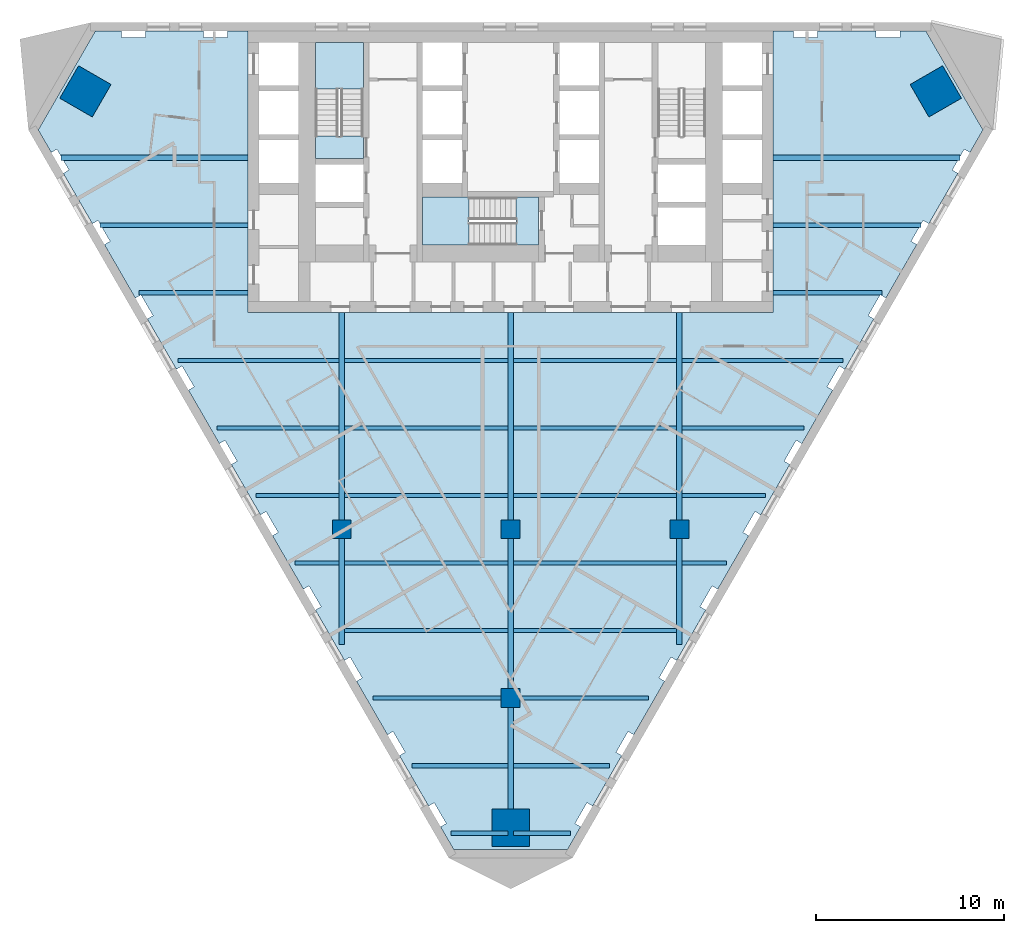
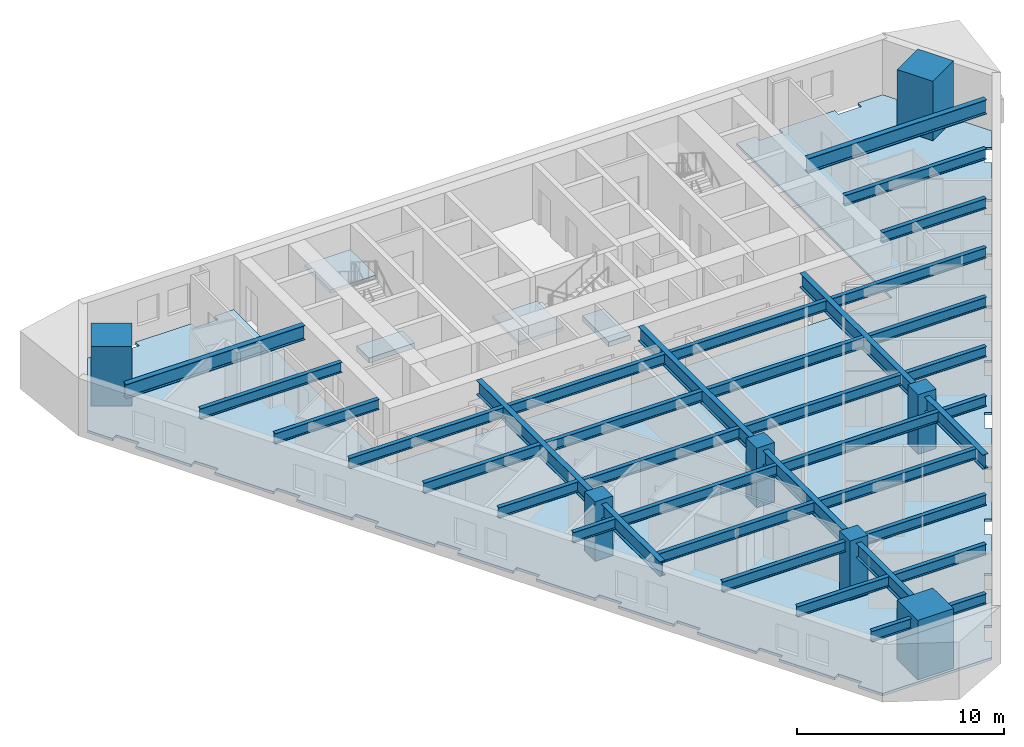
# One storey, part 1 of 10: 37 beams, 7 columns, 5 slabs, 2 elements without a shape of their own.
"""IFC4 building model written with IfcOpenShell, lengths in metres."""

from ifc_helpers import new_model, si_unit, direction, frame, origin, origin_2d, place, context, subcontext, project, spatial, polyline, rectangle, i_section, outline, extrude, material, layer, layer_set, material_profile, profile_set, type_object, element, aggregate, save


model = new_model("IFC4")

# Units and contexts
model_context = context("Model", 3, precision=1e-05, world=origin(), true_north=direction((0.0, 1.0)))
body_context = subcontext(model_context, "Body", "Model", "MODEL_VIEW")
ifc_project = project(units=[si_unit("LENGTHUNIT", "METRE"), si_unit("AREAUNIT", "SQUARE_METRE"), si_unit("VOLUMEUNIT", "CUBIC_METRE"), si_unit("PLANEANGLEUNIT", "RADIAN"), si_unit("MASSUNIT", "GRAM", prefix="KILO")], contexts=[model_context])

# Site, building, storey
site_placement = place(None, origin())
site = spatial("IfcSite", under=ifc_project, at=site_placement, CompositionType="ELEMENT")
building_placement = place(site_placement, origin())
building = spatial("IfcBuilding", under=site, at=building_placement, Name="Aloe Facet Convention Tower", CompositionType="ELEMENT")
storey_placement = place(building_placement, frame((0.0, 0.0, 73.5)))
storey = spatial("IfcBuildingStorey", under=building, at=storey_placement, Name="L17", CompositionType="ELEMENT", Elevation=73.5)

# Columns
ifc_material_1 = material(Name="Concrete C70/85", Category="concrete")
ifc_material_profile_1 = material_profile(ifc_material_1, rectangle(XDim=1.0, YDim=1.0, at=origin_2d()), Name="SF-GC-Z1")
ifc_profile_set_1 = profile_set([ifc_material_profile_1], Name="Concrete C70/85")
column_type_1 = type_object("IfcColumnType", Name="SF-GC-Z1", PredefinedType="COLUMN", material=ifc_profile_set_1)
for number, where, z_axis, x_axis, name in (
    (1, (71.0, 108.0, 0.0), (0.0, 0.0, 1.0), (1.0, 0.0, 0.0), "Gravity column GC-Z1-8D"),
    (2, (80.0, 99.0, 0.0), (0.0, 0.0, 1.0), (1.0, 0.0, 0.0), "Gravity column GC-Z1-9E"),
    (3, (80.0, 108.0, 0.0), (0.0, 0.0, 1.0), (1.0, 0.0, 0.0), "Gravity column GC-Z1-9D"),
    (4, (89.0, 108.0, 0.0), (0.0, 0.0, 1.0), (1.0, 0.0, 0.0), "Gravity column GC-Z1-10D"),
):
    element("IfcColumn", number, at=place(storey_placement, frame(where, z_axis=z_axis, x_axis=x_axis)), inside=storey, type_object=column_type_1, Name=name, PredefinedType="COLUMN", context=body_context, shape_type="SweptSolid", body=[
        extrude(rectangle(XDim=1.0, YDim=1.0, at=origin_2d()), origin(), (0.0, 0.0, 1.0), 3.5),
    ])
ifc_material_2 = material(Name="Concrete C80/95", Category="concrete")
ifc_material_profile_2 = material_profile(ifc_material_2, rectangle(XDim=2.0, YDim=2.0, at=origin_2d()), Name="STW-MC-Z1")
ifc_profile_set_2 = profile_set([ifc_material_profile_2], Name="Concrete C80/95")
column_type_2 = type_object("IfcColumnType", Name="STW-MC-Z1", PredefinedType="COLUMN", material=ifc_profile_set_2)
for number, where, z_axis, x_axis, name in (
    (5, (102.664306640625, 131.342041015625, 0.0), (0.0, 0.0, 1.0), (-0.5, 0.866025403784, 0.0), "Mega-column MC-NE-L17"),
    (6, (57.335693359375, 131.342041015625, 0.0), (0.0, 0.0, 1.0), (-0.5, -0.866025403784, 0.0), "Mega-column MC-NW-L17"),
    (7, (80.0, 92.086181640625, 0.0), (0.0, 0.0, 1.0), (1.0, 0.0, 0.0), "Mega-column MC-S-L17"),
):
    element("IfcColumn", number, at=place(storey_placement, frame(where, z_axis=z_axis, x_axis=x_axis)), inside=storey, type_object=column_type_2, Name=name, PredefinedType="COLUMN", context=body_context, shape_type="SweptSolid", body=[
        extrude(rectangle(XDim=2.0, YDim=2.0, at=origin_2d()), origin(), (0.0, 0.0, 1.0), 3.5),
    ])

# Beams
ifc_material_3 = material(Name="Steel S355", Category="steel")
ifc_material_profile_3 = material_profile(ifc_material_3, i_section(OverallWidth=0.22900390625, OverallDepth=0.6123046875, WebThickness=0.011962890625, FlangeThickness=0.01953125, FilletRadius=0.0126953125, at=origin_2d()), Name="UB 610x229x125")
ifc_profile_set_3 = profile_set([ifc_material_profile_3], Name="Steel S355")
beam_type_1 = type_object("IfcBeamType", Name="SF-B-UB610x229x125", PredefinedType="BEAM", material=ifc_profile_set_3)
beam_1_placement = place(storey_placement, frame((58.111328125, 124.199951171875, 2.94384765625), z_axis=(1.0, 0.0, 0.0), x_axis=(0.0, 1.0, 0.0)))
element("IfcBeam", 8, at=beam_1_placement, inside=storey, type_object=beam_type_1, Name="Floor beam FB-Z1I-010", PredefinedType="BEAM", context=body_context, shape_type="SweptSolid", body=[
    extrude(i_section(OverallWidth=0.22900390625, OverallDepth=0.6123046875, WebThickness=0.011962890625, FlangeThickness=0.01953125, FilletRadius=0.0126953125, at=origin_2d()), origin(), (0.0, 0.0, 1.0), 7.888671875),
])
beam_2_placement = place(storey_placement, frame((60.18994140625, 120.60009765625, 2.94384765625), z_axis=(1.0, 0.0, 0.0), x_axis=(0.0, 1.0, 0.0)))
element("IfcBeam", 9, at=beam_2_placement, inside=storey, type_object=beam_type_1, Name="Floor beam FB-Z1I-011", PredefinedType="BEAM", context=body_context, shape_type="SweptSolid", body=[
    extrude(i_section(OverallWidth=0.22900390625, OverallDepth=0.6123046875, WebThickness=0.011962890625, FlangeThickness=0.01953125, FilletRadius=0.0126953125, at=origin_2d()), origin(), (0.0, 0.0, 1.0), 5.81005859375),
])
beam_3_placement = place(storey_placement, frame((62.268310546875, 117.0, 2.94384765625), z_axis=(1.0, 0.0, 0.0), x_axis=(0.0, 1.0, 0.0)))
element("IfcBeam", 10, at=beam_3_placement, inside=storey, type_object=beam_type_1, Name="Floor beam FB-Z1I-012", PredefinedType="BEAM", context=body_context, shape_type="SweptSolid", body=[
    extrude(i_section(OverallWidth=0.22900390625, OverallDepth=0.6123046875, WebThickness=0.011962890625, FlangeThickness=0.01953125, FilletRadius=0.0126953125, at=origin_2d()), origin(), (0.0, 0.0, 1.0), 8.584716796875),
])
beam_4_placement = place(storey_placement, frame((64.3466796875, 113.39990234375, 2.94384765625), z_axis=(1.0, 0.0, 0.0), x_axis=(0.0, 1.0, 0.0)))
element("IfcBeam", 11, at=beam_4_placement, inside=storey, type_object=beam_type_1, Name="Floor beam FB-Z1I-013", PredefinedType="BEAM", context=body_context, shape_type="SweptSolid", body=[
    extrude(i_section(OverallWidth=0.22900390625, OverallDepth=0.6123046875, WebThickness=0.011962890625, FlangeThickness=0.01953125, FilletRadius=0.0126953125, at=origin_2d()), origin(), (0.0, 0.0, 1.0), 6.50634765625),
])
beam_5_placement = place(storey_placement, frame((66.42529296875, 109.800048828125, 2.94384765625), z_axis=(1.0, 0.0, 0.0), x_axis=(0.0, 1.0, 0.0)))
element("IfcBeam", 12, at=beam_5_placement, inside=storey, type_object=beam_type_1, Name="Floor beam FB-Z1I-014", PredefinedType="BEAM", context=body_context, shape_type="SweptSolid", body=[
    extrude(i_section(OverallWidth=0.22900390625, OverallDepth=0.6123046875, WebThickness=0.011962890625, FlangeThickness=0.01953125, FilletRadius=0.0126953125, at=origin_2d()), origin(), (0.0, 0.0, 1.0), 4.427734375),
])
beam_6_placement = place(storey_placement, frame((68.503662109375, 106.199951171875, 2.94384765625), z_axis=(1.0, 0.0, 0.0), x_axis=(0.0, 1.0, 0.0)))
element("IfcBeam", 13, at=beam_6_placement, inside=storey, type_object=beam_type_1, Name="Floor beam FB-Z1I-015", PredefinedType="BEAM", context=body_context, shape_type="SweptSolid", body=[
    extrude(i_section(OverallWidth=0.22900390625, OverallDepth=0.6123046875, WebThickness=0.011962890625, FlangeThickness=0.01953125, FilletRadius=0.0126953125, at=origin_2d()), origin(), (0.0, 0.0, 1.0), 2.349365234375),
])
for number, where, z_axis, x_axis, name in (
    (14, (71.14697265625, 102.60009765625, 2.94384765625), (1.0, 0.0, 0.0), (0.0, 1.0, 0.0), "Floor beam FB-Z1I-016"),
    (15, (71.14697265625, 106.199951171875, 2.94384765625), (1.0, 0.0, 0.0), (0.0, 1.0, 0.0), "Floor beam FB-Z1I-017"),
    (16, (71.14697265625, 109.800048828125, 2.94384765625), (1.0, 0.0, 0.0), (0.0, 1.0, 0.0), "Floor beam FB-Z1I-018"),
    (17, (71.14697265625, 113.39990234375, 2.94384765625), (1.0, 0.0, 0.0), (0.0, 1.0, 0.0), "Floor beam FB-Z1I-019"),
    (18, (71.14697265625, 117.0, 2.94384765625), (1.0, 0.0, 0.0), (0.0, 1.0, 0.0), "Floor beam FB-Z1I-020"),
):
    element("IfcBeam", number, at=place(storey_placement, frame(where, z_axis=z_axis, x_axis=x_axis)), inside=storey, type_object=beam_type_1, Name=name, PredefinedType="BEAM", context=body_context, shape_type="SweptSolid", body=[
        extrude(i_section(OverallWidth=0.22900390625, OverallDepth=0.6123046875, WebThickness=0.011962890625, FlangeThickness=0.01953125, FilletRadius=0.0126953125, at=origin_2d()), origin(), (0.0, 0.0, 1.0), 8.7060546875),
    ])
beam_7_placement = place(storey_placement, frame((72.66064453125, 99.0, 2.94384765625), z_axis=(1.0, 0.0, 0.0), x_axis=(0.0, 1.0, 0.0)))
element("IfcBeam", 19, at=beam_7_placement, inside=storey, type_object=beam_type_1, Name="Floor beam FB-Z1I-021", PredefinedType="BEAM", context=body_context, shape_type="SweptSolid", body=[
    extrude(i_section(OverallWidth=0.22900390625, OverallDepth=0.6123046875, WebThickness=0.011962890625, FlangeThickness=0.01953125, FilletRadius=0.0126953125, at=origin_2d()), origin(), (0.0, 0.0, 1.0), 6.83935546875),
])
beam_8_placement = place(storey_placement, frame((74.739013671875, 95.39990234375, 2.94384765625), z_axis=(1.0, 0.0, 0.0), x_axis=(0.0, 1.0, 0.0)))
element("IfcBeam", 20, at=beam_8_placement, inside=storey, type_object=beam_type_1, Name="Floor beam FB-Z1I-022", PredefinedType="BEAM", context=body_context, shape_type="SweptSolid", body=[
    extrude(i_section(OverallWidth=0.22900390625, OverallDepth=0.6123046875, WebThickness=0.011962890625, FlangeThickness=0.01953125, FilletRadius=0.0126953125, at=origin_2d()), origin(), (0.0, 0.0, 1.0), 5.114013671875),
])
for number, where, z_axis, x_axis, name in (
    (21, (76.817626953125, 91.800048828125, 2.94384765625), (1.0, 0.0, 0.0), (0.0, 1.0, 0.0), "Floor beam FB-Z1I-023"),
    (22, (80.14697265625, 91.800048828125, 2.94384765625), (1.0, 0.0, 0.0), (0.0, 1.0, 0.0), "Floor beam FB-Z1I-024"),
):
    element("IfcBeam", number, at=place(storey_placement, frame(where, z_axis=z_axis, x_axis=x_axis)), inside=storey, type_object=beam_type_1, Name=name, PredefinedType="BEAM", context=body_context, shape_type="SweptSolid", body=[
        extrude(i_section(OverallWidth=0.22900390625, OverallDepth=0.6123046875, WebThickness=0.011962890625, FlangeThickness=0.01953125, FilletRadius=0.0126953125, at=origin_2d()), origin(), (0.0, 0.0, 1.0), 3.035400390625),
    ])
beam_9_placement = place(storey_placement, frame((80.14697265625, 95.39990234375, 2.94384765625), z_axis=(1.0, 0.0, 0.0), x_axis=(0.0, 1.0, 0.0)))
element("IfcBeam", 23, at=beam_9_placement, inside=storey, type_object=beam_type_1, Name="Floor beam FB-Z1I-025", PredefinedType="BEAM", context=body_context, shape_type="SweptSolid", body=[
    extrude(i_section(OverallWidth=0.22900390625, OverallDepth=0.6123046875, WebThickness=0.011962890625, FlangeThickness=0.01953125, FilletRadius=0.0126953125, at=origin_2d()), origin(), (0.0, 0.0, 1.0), 5.114013671875),
])
for number, where, z_axis, x_axis, name in (
    (24, (80.14697265625, 102.60009765625, 2.94384765625), (1.0, 0.0, 0.0), (0.0, 1.0, 0.0), "Floor beam FB-Z1I-026"),
    (25, (80.14697265625, 106.199951171875, 2.94384765625), (1.0, 0.0, 0.0), (0.0, 1.0, 0.0), "Floor beam FB-Z1I-027"),
    (26, (80.14697265625, 109.800048828125, 2.94384765625), (1.0, 0.0, 0.0), (0.0, 1.0, 0.0), "Floor beam FB-Z1I-028"),
    (27, (80.14697265625, 113.39990234375, 2.94384765625), (1.0, 0.0, 0.0), (0.0, 1.0, 0.0), "Floor beam FB-Z1I-029"),
    (28, (80.14697265625, 117.0, 2.94384765625), (1.0, 0.0, 0.0), (0.0, 1.0, 0.0), "Floor beam FB-Z1I-030"),
):
    element("IfcBeam", number, at=place(storey_placement, frame(where, z_axis=z_axis, x_axis=x_axis)), inside=storey, type_object=beam_type_1, Name=name, PredefinedType="BEAM", context=body_context, shape_type="SweptSolid", body=[
        extrude(i_section(OverallWidth=0.22900390625, OverallDepth=0.6123046875, WebThickness=0.011962890625, FlangeThickness=0.01953125, FilletRadius=0.0126953125, at=origin_2d()), origin(), (0.0, 0.0, 1.0), 8.7060546875),
    ])
beam_10_placement = place(storey_placement, frame((80.5, 99.0, 2.94384765625), z_axis=(1.0, 0.0, 0.0), x_axis=(0.0, 1.0, 0.0)))
element("IfcBeam", 29, at=beam_10_placement, inside=storey, type_object=beam_type_1, Name="Floor beam FB-Z1I-031", PredefinedType="BEAM", context=body_context, shape_type="SweptSolid", body=[
    extrude(i_section(OverallWidth=0.22900390625, OverallDepth=0.6123046875, WebThickness=0.011962890625, FlangeThickness=0.01953125, FilletRadius=0.0126953125, at=origin_2d()), origin(), (0.0, 0.0, 1.0), 6.83935546875),
])
beam_11_placement = place(storey_placement, frame((89.14697265625, 106.199951171875, 2.94384765625), z_axis=(1.0, 0.0, 0.0), x_axis=(0.0, 1.0, 0.0)))
element("IfcBeam", 30, at=beam_11_placement, inside=storey, type_object=beam_type_1, Name="Floor beam FB-Z1I-032", PredefinedType="BEAM", context=body_context, shape_type="SweptSolid", body=[
    extrude(i_section(OverallWidth=0.22900390625, OverallDepth=0.6123046875, WebThickness=0.011962890625, FlangeThickness=0.01953125, FilletRadius=0.0126953125, at=origin_2d()), origin(), (0.0, 0.0, 1.0), 2.349365234375),
])
beam_12_placement = place(storey_placement, frame((89.14697265625, 109.800048828125, 2.94384765625), z_axis=(1.0, 0.0, 0.0), x_axis=(0.0, 1.0, 0.0)))
element("IfcBeam", 31, at=beam_12_placement, inside=storey, type_object=beam_type_1, Name="Floor beam FB-Z1I-033", PredefinedType="BEAM", context=body_context, shape_type="SweptSolid", body=[
    extrude(i_section(OverallWidth=0.22900390625, OverallDepth=0.6123046875, WebThickness=0.011962890625, FlangeThickness=0.01953125, FilletRadius=0.0126953125, at=origin_2d()), origin(), (0.0, 0.0, 1.0), 4.427734375),
])
beam_13_placement = place(storey_placement, frame((89.14697265625, 113.39990234375, 2.94384765625), z_axis=(1.0, 0.0, 0.0), x_axis=(0.0, 1.0, 0.0)))
element("IfcBeam", 32, at=beam_13_placement, inside=storey, type_object=beam_type_1, Name="Floor beam FB-Z1I-034", PredefinedType="BEAM", context=body_context, shape_type="SweptSolid", body=[
    extrude(i_section(OverallWidth=0.22900390625, OverallDepth=0.6123046875, WebThickness=0.011962890625, FlangeThickness=0.01953125, FilletRadius=0.0126953125, at=origin_2d()), origin(), (0.0, 0.0, 1.0), 6.50634765625),
])
beam_14_placement = place(storey_placement, frame((89.14697265625, 117.0, 2.94384765625), z_axis=(1.0, 0.0, 0.0), x_axis=(0.0, 1.0, 0.0)))
element("IfcBeam", 33, at=beam_14_placement, inside=storey, type_object=beam_type_1, Name="Floor beam FB-Z1I-035", PredefinedType="BEAM", context=body_context, shape_type="SweptSolid", body=[
    extrude(i_section(OverallWidth=0.22900390625, OverallDepth=0.6123046875, WebThickness=0.011962890625, FlangeThickness=0.01953125, FilletRadius=0.0126953125, at=origin_2d()), origin(), (0.0, 0.0, 1.0), 8.584716796875),
])
beam_15_placement = place(storey_placement, frame((94.0, 120.60009765625, 2.94384765625), z_axis=(1.0, 0.0, 0.0), x_axis=(0.0, 1.0, 0.0)))
element("IfcBeam", 34, at=beam_15_placement, inside=storey, type_object=beam_type_1, Name="Floor beam FB-Z1I-036", PredefinedType="BEAM", context=body_context, shape_type="SweptSolid", body=[
    extrude(i_section(OverallWidth=0.22900390625, OverallDepth=0.6123046875, WebThickness=0.011962890625, FlangeThickness=0.01953125, FilletRadius=0.0126953125, at=origin_2d()), origin(), (0.0, 0.0, 1.0), 5.81005859375),
])
beam_16_placement = place(storey_placement, frame((94.0, 124.199951171875, 2.94384765625), z_axis=(1.0, 0.0, 0.0), x_axis=(0.0, 1.0, 0.0)))
element("IfcBeam", 35, at=beam_16_placement, inside=storey, type_object=beam_type_1, Name="Floor beam FB-Z1I-037", PredefinedType="BEAM", context=body_context, shape_type="SweptSolid", body=[
    extrude(i_section(OverallWidth=0.22900390625, OverallDepth=0.6123046875, WebThickness=0.011962890625, FlangeThickness=0.01953125, FilletRadius=0.0126953125, at=origin_2d()), origin(), (0.0, 0.0, 1.0), 7.888671875),
])
ifc_material_4 = material(Name="Steel S355", Category="steel")
ifc_material_profile_4 = material_profile(ifc_material_4, i_section(OverallWidth=0.293701171875, OverallDepth=0.850830078125, WebThickness=0.01611328125, FlangeThickness=0.02685546875, FilletRadius=0.017822265625, at=origin_2d()), Name="UB 838x292x226")
ifc_profile_set_4 = profile_set([ifc_material_profile_4], Name="Steel S355")
beam_type_2 = type_object("IfcBeamType", Name="SF-B-UB838x292x226", PredefinedType="BEAM", material=ifc_profile_set_4)
beam_17_placement = place(storey_placement, frame((56.032958984375, 127.800048828125, 2.82470703125), z_axis=(1.0, 0.0, 0.0), x_axis=(0.0, 1.0, 0.0)))
element("IfcBeam", 36, at=beam_17_placement, inside=storey, type_object=beam_type_2, Name="Floor beam FB-Z1I-001", PredefinedType="BEAM", context=body_context, shape_type="SweptSolid", body=[
    extrude(i_section(OverallWidth=0.293701171875, OverallDepth=0.850830078125, WebThickness=0.01611328125, FlangeThickness=0.02685546875, FilletRadius=0.017822265625, at=origin_2d()), origin(), (0.0, 0.0, 1.0), 9.967041015625),
])
beam_18_placement = place(storey_placement, frame((71.0, 107.5, 2.82470703125), z_axis=(0.0, -1.0, 0.0), x_axis=(1.0, 0.0, 0.0)))
element("IfcBeam", 37, at=beam_18_placement, inside=storey, type_object=beam_type_2, Name="Floor beam FB-Z1I-002", PredefinedType="BEAM", context=body_context, shape_type="SweptSolid", body=[
    extrude(i_section(OverallWidth=0.293701171875, OverallDepth=0.850830078125, WebThickness=0.01611328125, FlangeThickness=0.02685546875, FilletRadius=0.017822265625, at=origin_2d()), origin(), (0.0, 0.0, 1.0), 5.631103515625),
])
beam_19_placement = place(storey_placement, frame((71.0, 119.550048828125, 2.82470703125), z_axis=(0.0, -1.0, 0.0), x_axis=(1.0, 0.0, 0.0)))
element("IfcBeam", 38, at=beam_19_placement, inside=storey, type_object=beam_type_2, Name="Floor beam FB-Z1I-003", PredefinedType="BEAM", context=body_context, shape_type="SweptSolid", body=[
    extrude(i_section(OverallWidth=0.293701171875, OverallDepth=0.850830078125, WebThickness=0.01611328125, FlangeThickness=0.02685546875, FilletRadius=0.017822265625, at=origin_2d()), origin(), (0.0, 0.0, 1.0), 11.050048828125),
])
beam_20_placement = place(storey_placement, frame((80.0, 98.5, 2.82470703125), z_axis=(0.0, -1.0, 0.0), x_axis=(1.0, 0.0, 0.0)))
element("IfcBeam", 39, at=beam_20_placement, inside=storey, type_object=beam_type_2, Name="Floor beam FB-Z1I-004", PredefinedType="BEAM", context=body_context, shape_type="SweptSolid", body=[
    extrude(i_section(OverallWidth=0.293701171875, OverallDepth=0.850830078125, WebThickness=0.01611328125, FlangeThickness=0.02685546875, FilletRadius=0.017822265625, at=origin_2d()), origin(), (0.0, 0.0, 1.0), 7.253662109375),
])
beam_21_placement = place(storey_placement, frame((80.0, 107.5, 2.82470703125), z_axis=(0.0, -1.0, 0.0), x_axis=(1.0, 0.0, 0.0)))
element("IfcBeam", 40, at=beam_21_placement, inside=storey, type_object=beam_type_2, Name="Floor beam FB-Z1I-005", PredefinedType="BEAM", context=body_context, shape_type="SweptSolid", body=[
    extrude(i_section(OverallWidth=0.293701171875, OverallDepth=0.850830078125, WebThickness=0.01611328125, FlangeThickness=0.02685546875, FilletRadius=0.017822265625, at=origin_2d()), origin(), (0.0, 0.0, 1.0), 8.0),
])
beam_22_placement = place(storey_placement, frame((80.0, 119.550048828125, 2.82470703125), z_axis=(0.0, -1.0, 0.0), x_axis=(1.0, 0.0, 0.0)))
element("IfcBeam", 41, at=beam_22_placement, inside=storey, type_object=beam_type_2, Name="Floor beam FB-Z1I-006", PredefinedType="BEAM", context=body_context, shape_type="SweptSolid", body=[
    extrude(i_section(OverallWidth=0.293701171875, OverallDepth=0.850830078125, WebThickness=0.01611328125, FlangeThickness=0.02685546875, FilletRadius=0.017822265625, at=origin_2d()), origin(), (0.0, 0.0, 1.0), 11.050048828125),
])
beam_23_placement = place(storey_placement, frame((89.0, 107.5, 2.82470703125), z_axis=(0.0, -1.0, 0.0), x_axis=(1.0, 0.0, 0.0)))
element("IfcBeam", 42, at=beam_23_placement, inside=storey, type_object=beam_type_2, Name="Floor beam FB-Z1I-007", PredefinedType="BEAM", context=body_context, shape_type="SweptSolid", body=[
    extrude(i_section(OverallWidth=0.293701171875, OverallDepth=0.850830078125, WebThickness=0.01611328125, FlangeThickness=0.02685546875, FilletRadius=0.017822265625, at=origin_2d()), origin(), (0.0, 0.0, 1.0), 5.631103515625),
])
beam_24_placement = place(storey_placement, frame((89.0, 119.550048828125, 2.82470703125), z_axis=(0.0, -1.0, 0.0), x_axis=(1.0, 0.0, 0.0)))
element("IfcBeam", 43, at=beam_24_placement, inside=storey, type_object=beam_type_2, Name="Floor beam FB-Z1I-008", PredefinedType="BEAM", context=body_context, shape_type="SweptSolid", body=[
    extrude(i_section(OverallWidth=0.293701171875, OverallDepth=0.850830078125, WebThickness=0.01611328125, FlangeThickness=0.02685546875, FilletRadius=0.017822265625, at=origin_2d()), origin(), (0.0, 0.0, 1.0), 11.050048828125),
])
beam_25_placement = place(storey_placement, frame((94.0, 127.800048828125, 2.82470703125), z_axis=(1.0, 0.0, 0.0), x_axis=(0.0, 1.0, 0.0)))
element("IfcBeam", 44, at=beam_25_placement, inside=storey, type_object=beam_type_2, Name="Floor beam FB-Z1I-009", PredefinedType="BEAM", context=body_context, shape_type="SweptSolid", body=[
    extrude(i_section(OverallWidth=0.293701171875, OverallDepth=0.850830078125, WebThickness=0.01611328125, FlangeThickness=0.02685546875, FilletRadius=0.017822265625, at=origin_2d()), origin(), (0.0, 0.0, 1.0), 9.967041015625),
])

# Slabs
ifc_material_5 = material(Name="Concrete C80/95", Category="concrete")
ifc_layer_1 = layer(ifc_material_5, 0.300048828125)
ifc_layer_set_1 = layer_set([ifc_layer_1], Name="CR-S-FLOOR300-C8095")
slab_type_1 = type_object("IfcSlabType", Name="CR-S-FLOOR300-C8095", PredefinedType="FLOOR", material=ifc_layer_set_1)
slab_1_placement = place(storey_placement, frame((0.0, 0.0, -0.300048828125)))
element("IfcSlab", 45, at=slab_1_placement, inside=storey, type_object=slab_type_1, Name="Stair landing floor L17", PredefinedType="FLOOR", context=body_context, shape_type="SweptSolid", body=[
    extrude(outline(polyline([(72.14990234375, 127.75), (72.14990234375, 128.951171875), (69.60009765625, 128.951171875), (69.60009765625, 127.75), (72.14990234375, 127.75)])), origin(), (0.0, 0.0, 1.0), 0.300048828125),
])
slab_2_placement = place(storey_placement, frame((0.0, 0.0, -0.300048828125)))
element("IfcSlab", 46, at=slab_2_placement, inside=storey, type_object=slab_type_1, Name="Stair landing floor L17", PredefinedType="FLOOR", context=body_context, shape_type="SweptSolid", body=[
    extrude(outline(polyline([(81.5, 125.699951171875), (80.298828125, 125.699951171875), (80.298828125, 123.14990234375), (81.5, 123.14990234375), (81.5, 125.699951171875)])), origin(), (0.0, 0.0, 1.0), 0.300048828125),
])

# Stair, slab
ifc_material_6 = material(Name="Concrete C50/60", Category="concrete")
stair_type = type_object("IfcStairType", Name="CR-ST-20R", PredefinedType="HALF_TURN_STAIR", material=ifc_material_6)
stair_1_placement = place(storey_placement, origin())
stair_1 = element("IfcStair", 47, at=stair_1_placement, inside=storey, type_object=stair_type, Name="L17 Protected exit stair ST1", PredefinedType="HALF_TURN_STAIR")
ifc_material_7 = material(Name="Concrete C50/60", Category="concrete")
ifc_layer_2 = layer(ifc_material_7, 0.199951171875)
ifc_layer_set_2 = layer_set([ifc_layer_2], Name="CR-SL-LANDING")
slab_type_2 = type_object("IfcSlabType", Name="CR-SL-LANDING", PredefinedType="LANDING", material=ifc_layer_set_2)
slab_3_placement = place(storey_placement, frame((0.0, 0.0, 1.550048828125)))
slab_3 = element("IfcSlab", 48, at=slab_3_placement, type_object=slab_type_2, Name="ST1 landing 1", PredefinedType="LANDING", context=body_context, shape_type="SweptSolid", body=[
    extrude(outline(polyline([(72.14990234375, 131.469970703125), (72.14990234375, 133.949951171875), (69.60009765625, 133.949951171875), (69.60009765625, 131.469970703125), (72.14990234375, 131.469970703125)])), origin(), (0.0, 0.0, 1.0), 0.199951171875),
])
aggregate(stair_1, [slab_3])

stair_2_placement = place(storey_placement, origin())
stair_2 = element("IfcStair", 49, at=stair_2_placement, inside=storey, type_object=stair_type, Name="L17 Protected exit stair ST3", PredefinedType="HALF_TURN_STAIR")
slab_4_placement = place(storey_placement, frame((0.0, 0.0, 1.550048828125)))
slab_4 = element("IfcSlab", 50, at=slab_4_placement, type_object=slab_type_2, Name="ST3 landing 1", PredefinedType="LANDING", context=body_context, shape_type="SweptSolid", body=[
    extrude(outline(polyline([(77.780029296875, 125.699951171875), (75.300048828125, 125.699951171875), (75.300048828125, 123.14990234375), (77.780029296875, 123.14990234375), (77.780029296875, 125.699951171875)])), origin(), (0.0, 0.0, 1.0), 0.199951171875),
])
aggregate(stair_2, [slab_4])

# Slab
ifc_material_8 = material(Name="Concrete C35/45", Category="concrete")
ifc_layer_3 = layer(ifc_material_8, 0.14990234375)
ifc_layer_set_3 = layer_set([ifc_layer_3], Name="SF-FS-150")
slab_type_3 = type_object("IfcSlabType", Name="SF-FS-150", PredefinedType="FLOOR", material=ifc_layer_set_3)
slab_5_placement = place(storey_placement, frame((0.0, 0.0, -0.14990234375)))
element("IfcSlab", 51, at=slab_5_placement, inside=storey, type_object=slab_type_3, Name="Floor slab L17-1", PredefinedType="FLOOR", context=body_context, shape_type="SweptSolid", body=[
    extrude(outline(polyline([(105.180419921875, 129.2841796875), (104.487060546875, 128.08349609375), (104.18408203125, 128.25830078125), (103.54248046875, 127.147216796875), (103.845458984375, 126.97216796875), (102.295166015625, 124.286865234375), (101.991943359375, 124.4619140625), (101.350341796875, 123.350341796875), (101.653564453125, 123.17529296875), (100.007080078125, 120.32373046875), (99.7041015625, 120.498779296875), (99.0625, 119.387451171875), (99.365478515625, 119.21240234375), (97.815185546875, 116.527099609375), (97.511962890625, 116.7021484375), (96.870361328125, 115.5908203125), (97.173583984375, 115.416015625), (95.527099609375, 112.564208984375), (95.22412109375, 112.7392578125), (94.58251953125, 111.6279296875), (94.885498046875, 111.452880859375), (93.335205078125, 108.767578125), (93.031982421875, 108.942626953125), (92.390380859375, 107.831298828125), (92.693603515625, 107.65625), (91.047119140625, 104.8046875), (90.743896484375, 104.979736328125), (90.102294921875, 103.868408203125), (90.405517578125, 103.693359375), (88.85498046875, 101.008056640625), (88.552001953125, 101.18310546875), (87.910400390625, 100.07177734375), (88.21337890625, 99.896728515625), (86.567138671875, 97.045166015625), (86.263916015625, 97.22021484375), (85.622314453125, 96.108642578125), (85.925537109375, 95.93359375), (84.375, 93.248291015625), (84.072021484375, 93.42333984375), (83.430419921875, 92.31201171875), (83.7333984375, 92.13720703125), (83.040283203125, 90.936279296875), (76.959716796875, 90.936279296875), (76.2666015625, 92.13720703125), (76.569580078125, 92.31201171875), (75.927978515625, 93.42333984375), (75.625, 93.248291015625), (74.074462890625, 95.93359375), (74.377685546875, 96.108642578125), (73.736083984375, 97.22021484375), (73.432861328125, 97.045166015625), (71.78662109375, 99.896728515625), (72.089599609375, 100.07177734375), (71.447998046875, 101.18310546875), (71.14501953125, 101.008056640625), (69.594482421875, 103.693359375), (69.897705078125, 103.868408203125), (69.256103515625, 104.979736328125), (68.952880859375, 104.8046875), (67.306396484375, 107.65625), (67.609619140625, 107.831298828125), (66.968017578125, 108.942626953125), (66.664794921875, 108.767578125), (65.114501953125, 111.452880859375), (65.41748046875, 111.6279296875), (64.77587890625, 112.7392578125), (64.472900390625, 112.564208984375), (62.826416015625, 115.416015625), (63.129638671875, 115.5908203125), (62.488037109375, 116.7021484375), (62.184814453125, 116.527099609375), (60.634521484375, 119.21240234375), (60.9375, 119.387451171875), (60.2958984375, 120.498779296875), (59.992919921875, 120.32373046875), (58.346435546875, 123.17529296875), (58.649658203125, 123.350341796875), (58.008056640625, 124.4619140625), (57.704833984375, 124.286865234375), (56.154541015625, 126.97216796875), (56.45751953125, 127.147216796875), (55.81591796875, 128.25830078125), (55.512939453125, 128.08349609375), (54.819580078125, 129.2841796875), (57.85986328125, 134.550048828125), (59.246337890625, 134.550048828125), (59.246337890625, 134.199951171875), (60.529541015625, 134.199951171875), (60.529541015625, 134.550048828125), (63.63037109375, 134.550048828125), (63.63037109375, 134.199951171875), (64.91357421875, 134.199951171875), (64.91357421875, 134.550048828125), (66.0, 134.550048828125), (66.0, 131.949951171875), (66.0, 131.050048828125), (66.0, 129.35009765625), (66.0, 128.449951171875), (66.0, 126.449951171875), (66.0, 125.85009765625), (66.0, 123.57373046875), (66.0, 122.523681640625), (66.0, 119.550048828125), (68.699951171875, 119.550048828125), (69.300048828125, 119.550048828125), (72.10009765625, 119.550048828125), (73.14990234375, 119.550048828125), (74.300048828125, 119.550048828125), (75.35009765625, 119.550048828125), (76.433349609375, 119.550048828125), (77.4833984375, 119.550048828125), (78.566650390625, 119.550048828125), (79.61669921875, 119.550048828125), (80.699951171875, 119.550048828125), (81.75, 119.550048828125), (82.64990234375, 119.550048828125), (83.699951171875, 119.550048828125), (84.64990234375, 119.550048828125), (85.699951171875, 119.550048828125), (86.85009765625, 119.550048828125), (87.89990234375, 119.550048828125), (90.699951171875, 119.550048828125), (91.300048828125, 119.550048828125), (94.0, 119.550048828125), (94.0, 121.7841796875), (94.0, 122.834228515625), (94.0, 123.923583984375), (94.0, 124.9736328125), (94.0, 125.85009765625), (94.0, 126.449951171875), (94.0, 128.449951171875), (94.0, 129.35009765625), (94.0, 131.050048828125), (94.0, 131.949951171875), (94.0, 134.550048828125), (95.08642578125, 134.550048828125), (95.08642578125, 134.199951171875), (96.36962890625, 134.199951171875), (96.36962890625, 134.550048828125), (99.470458984375, 134.550048828125), (99.470458984375, 134.199951171875), (100.753662109375, 134.199951171875), (100.753662109375, 134.550048828125), (102.14013671875, 134.550048828125), (105.180419921875, 129.2841796875)]), holes=[polyline([(80.5, 98.5), (80.5, 99.5), (79.5, 99.5), (79.5, 98.5), (80.5, 98.5)]), polyline([(80.5, 107.5), (80.5, 108.5), (79.5, 108.5), (79.5, 107.5), (80.5, 107.5)]), polyline([(71.5, 107.5), (71.5, 108.5), (70.5, 108.5), (70.5, 107.5), (71.5, 107.5)]), polyline([(58.70166015625, 131.7080078125), (56.969482421875, 132.7080078125), (55.969482421875, 130.97607421875), (57.70166015625, 129.97607421875), (58.70166015625, 131.7080078125)]), polyline([(79.0, 91.086181640625), (81.0, 91.086181640625), (81.0, 93.086181640625), (79.0, 93.086181640625), (79.0, 91.086181640625)]), polyline([(89.5, 107.5), (89.5, 108.5), (88.5, 108.5), (88.5, 107.5), (89.5, 107.5)]), polyline([(102.29833984375, 129.97607421875), (104.030517578125, 130.97607421875), (103.030517578125, 132.7080078125), (101.29833984375, 131.7080078125), (102.29833984375, 129.97607421875)])]), origin(), (0.0, 0.0, 1.0), 0.14990234375),
])

save(model, "model.ifc")
